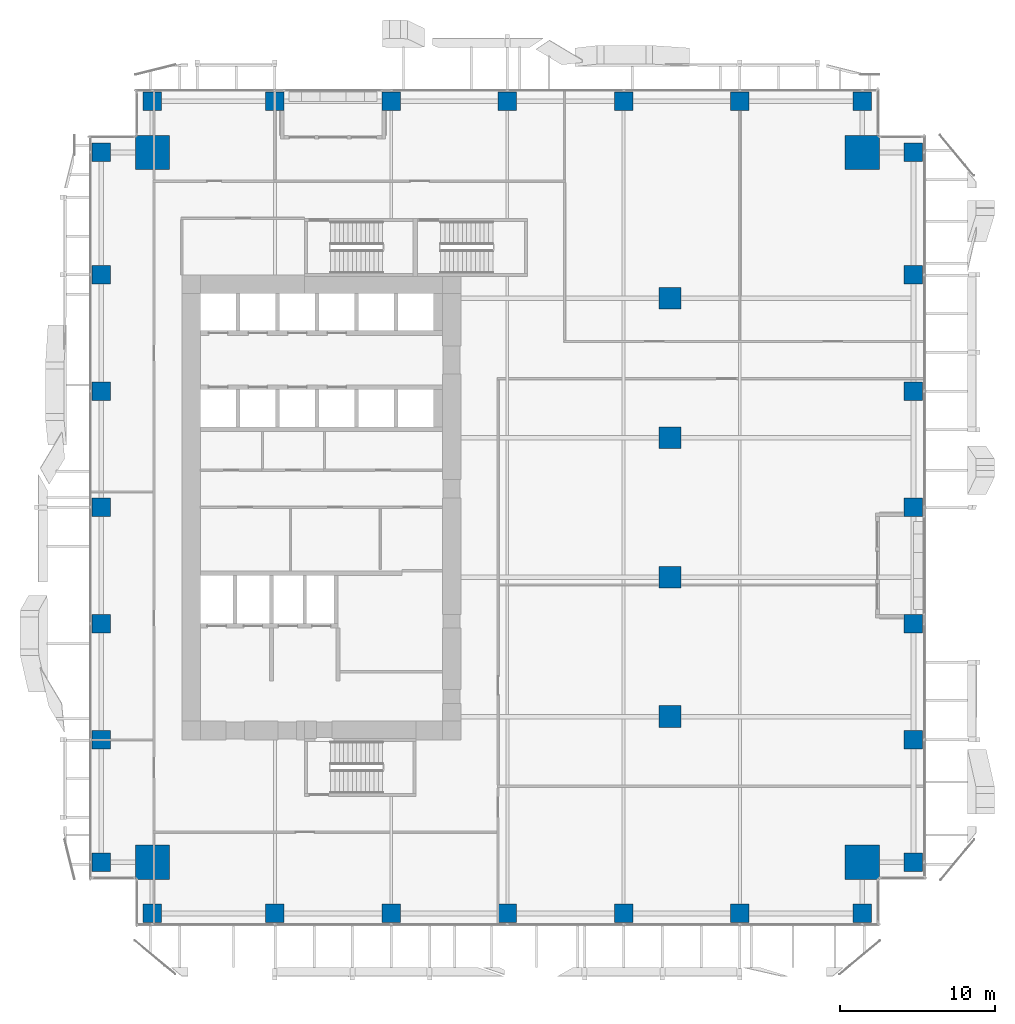
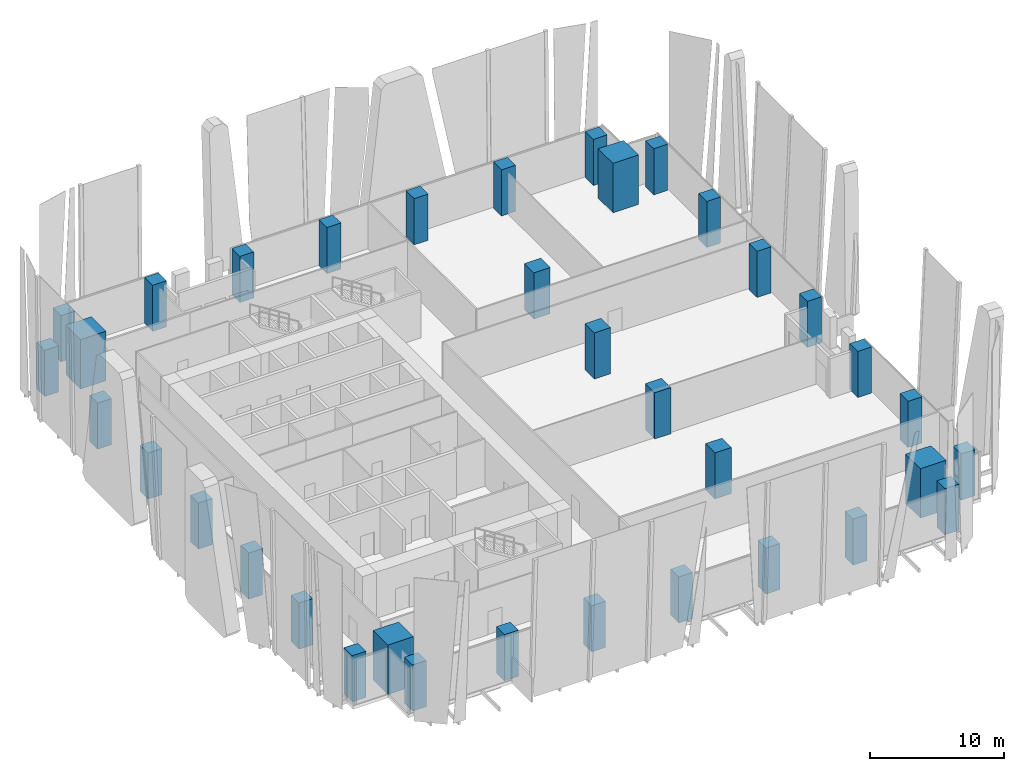
# One storey, part 1 of 34: 36 columns.
"""IFC4 building model written with IfcOpenShell, lengths in metres."""

import ifcopenshell
import ifcopenshell.guid

model = None  # the IFC model being written
_history = None  # IfcOwnerHistory: only IFC2X3 demands one
_inside = {}  # id of a spatial element -> (the spatial element, [elements in it])
_under = {}  # id of a project, library or spatial element -> (it, [spatial elements below it])
_declared = {}  # id of a project -> (the project, [libraries it declares])
_typed = {}  # id of a type object -> (the type object, [elements of that type])
_made_of = {}  # id of a material, layer set ... -> (it, [elements and type objects made of it])


def new_model(schema):
    """Start an empty IFC model of exactly this schema.

    Asked for "IFC4X3", IfcOpenShell would pick the latest addendum, in which some entities
    have other attributes; the version numbers below select the first issue.
    IFC2X3 requires an IfcOwnerHistory on every rooted entity: one is made here for all.
    """
    global model, _history
    if schema == "IFC4X3":
        model = ifcopenshell.file(schema_version=(4, 3, 0, 0))
    else:
        model = ifcopenshell.file(schema=schema)
    _inside.clear()
    _under.clear()
    _declared.clear()
    _typed.clear()
    _made_of.clear()
    _history = None
    if model.schema == "IFC2X3":
        org = make("IfcOrganization", Name="unknown")
        user = make(
            "IfcPersonAndOrganization",
            ThePerson=make("IfcPerson", FamilyName="unknown"),
            TheOrganization=org,
        )
        app = make(
            "IfcApplication",
            ApplicationDeveloper=org,
            Version="unknown",
            ApplicationFullName="unknown",
            ApplicationIdentifier="unknown",
        )
        _history = make(
            "IfcOwnerHistory",
            OwningUser=user,
            OwningApplication=app,
            ChangeAction="ADDED",
            CreationDate=0,
        )
    return model


def make(cls, **values):
    """One entity of the class cls with the attributes given. An attribute that is None is left unset."""
    return model.create_entity(
        cls, **{name: value for name, value in values.items() if value is not None}
    )


def rooted(cls, **values):
    """An entity with a GlobalId (a new one), such as an element, a storey or a relation."""
    return make(cls, GlobalId=ifcopenshell.guid.new(), OwnerHistory=_history, **values)


def si_unit(unit_type, name, prefix=None):
    """IfcSIUnit, for example si_unit("LENGTHUNIT", "METRE", prefix="MILLI")."""
    return make("IfcSIUnit", UnitType=unit_type, Prefix=prefix, Name=name)


def assignment(units):
    """IfcUnitAssignment: the units of a project."""
    return None if units is None else make("IfcUnitAssignment", Units=units)


def point(xyz):
    """IfcCartesianPoint."""
    return None if xyz is None else make("IfcCartesianPoint", Coordinates=xyz)


def direction(xyz):
    """IfcDirection."""
    return None if xyz is None else make("IfcDirection", DirectionRatios=xyz)


def frame(location, z_axis=None, x_axis=None):
    """IfcAxis2Placement3D, a coordinate frame: its origin and axes. An axis left out is left unset."""
    return make(
        "IfcAxis2Placement3D",
        Location=point(location),
        Axis=direction(z_axis),
        RefDirection=direction(x_axis),
    )


def frame_2d(location, x_axis=None):
    """IfcAxis2Placement2D, a coordinate frame in the plane: its origin and x axis."""
    return make(
        "IfcAxis2Placement2D", Location=point(location), RefDirection=direction(x_axis)
    )


def origin():
    """The frame at (0, 0, 0) with its axes left unset."""
    return frame((0.0, 0.0, 0.0))


def origin_2d():
    """The frame at (0, 0) in the plane with its x axis left unset."""
    return frame_2d((0.0, 0.0))


def place(relative_to, where):
    """IfcLocalPlacement: puts the frame where relative to a parent placement (None: the world)."""
    return make(
        "IfcLocalPlacement", PlacementRelTo=relative_to, RelativePlacement=where
    )


def context(
    kind, dimensions, precision=None, world=None, true_north=None, identifier=None
):
    """IfcGeometricRepresentationContext, for example the 3D "Model" context."""
    return make(
        "IfcGeometricRepresentationContext",
        ContextIdentifier=identifier,
        ContextType=kind,
        CoordinateSpaceDimension=dimensions,
        Precision=precision,
        WorldCoordinateSystem=world,
        TrueNorth=true_north,
    )


def subcontext(parent, identifier, kind, view, scale=None):
    """IfcGeometricRepresentationSubContext, for example "Body" below "Model"."""
    return make(
        "IfcGeometricRepresentationSubContext",
        ContextIdentifier=identifier,
        ContextType=kind,
        ParentContext=parent,
        TargetScale=scale,
        TargetView=view,
    )


def project(units=None, contexts=None):
    """IfcProject with its units and contexts."""
    return rooted(
        "IfcProject",
        Name="project",
        RepresentationContexts=contexts,
        UnitsInContext=assignment(units),
    )


def spatial(cls, under=None, at=None, **own):
    """A site, building, storey or space (cls), placed at a placement, below another one or the project."""
    s = rooted(cls, ObjectPlacement=at, **own)
    if under is not None:
        _under.setdefault(under.id(), (under, []))[1].append(s)
    return s


def profile(cls, at=None, kind="AREA", **sizes):
    """A parametric profile (cls). Its sizes go by their IFC names, for example OverallWidth=200.0."""
    return make(cls, ProfileType=kind, Position=at, **sizes)


def rectangle(**sizes):
    """IfcRectangleProfileDef."""
    return profile("IfcRectangleProfileDef", **sizes)


def extrude(swept, where, along, depth):
    """IfcExtrudedAreaSolid: the profile swept, set in the frame where, extruded along a direction by depth."""
    return make(
        "IfcExtrudedAreaSolid",
        SweptArea=swept,
        Position=where,
        ExtrudedDirection=direction(along),
        Depth=depth,
    )


def shape(context_of_items, identifier, shape_type, items):
    """IfcShapeRepresentation: the items that make up one representation, for example the "Body"."""
    return make(
        "IfcShapeRepresentation",
        ContextOfItems=context_of_items,
        RepresentationIdentifier=identifier,
        RepresentationType=shape_type,
        Items=items,
    )


def source(mapping_origin, context_of_items, identifier, shape_type, items):
    """IfcRepresentationMap: a shape defined once, which mapped items show again and again."""
    return make(
        "IfcRepresentationMap",
        MappingOrigin=mapping_origin,
        MappedRepresentation=shape(context_of_items, identifier, shape_type, items),
    )


def transform(
    local_origin,
    x_axis=None,
    y_axis=None,
    z_axis=None,
    scale=None,
    scale2=None,
    scale3=None,
    uniform=True,
):
    """IfcCartesianTransformationOperator3D, or its non-uniform kind. x_axis, y_axis, z_axis: its Axis1, 2, 3."""
    if uniform:
        return make(
            "IfcCartesianTransformationOperator3D",
            Axis1=direction(x_axis),
            Axis2=direction(y_axis),
            LocalOrigin=point(local_origin),
            Scale=scale,
            Axis3=direction(z_axis),
        )
    return make(
        "IfcCartesianTransformationOperator3DnonUniform",
        Axis1=direction(x_axis),
        Axis2=direction(y_axis),
        LocalOrigin=point(local_origin),
        Scale=scale,
        Axis3=direction(z_axis),
        Scale2=scale2,
        Scale3=scale3,
    )


def mapped(mapping_source, mapping_target):
    """IfcMappedItem: shows the shape of a source again, moved by a transform."""
    return make(
        "IfcMappedItem", MappingSource=mapping_source, MappingTarget=mapping_target
    )


def material(Name=None, Category=None):
    """IfcMaterial."""
    return make("IfcMaterial", Name=Name, Category=Category)


def material_profile(
    of_material, cross_section, Name=None, Category=None, Priority=None
):
    """IfcMaterialProfile: a cross section and its material."""
    return make(
        "IfcMaterialProfile",
        Name=Name,
        Material=of_material,
        Profile=cross_section,
        Priority=Priority,
        Category=Category,
    )


def profile_set(profiles, Name=None, composite=None):
    """IfcMaterialProfileSet."""
    return make(
        "IfcMaterialProfileSet",
        Name=Name,
        MaterialProfiles=profiles,
        CompositeProfile=composite,
    )


def made_of(thing, what):
    """Note that an element or type object is made of a material, layer set ...; save() writes the relation."""
    if what is not None:
        _made_of.setdefault(what.id(), (what, []))[1].append(thing)
    return thing


def type_object(cls, material=None, **own):
    """A type object (cls), such as IfcWallType, which elements share."""
    return made_of(rooted(cls, **own), material)


def element(
    cls,
    number,
    at=None,
    inside=None,
    cuts=None,
    type_object=None,
    material=None,
    context=None,
    identifier="Body",
    shape_type=None,
    held_by="IfcProductDefinitionShape",
    body=None,
    shapes=None,
    **own,
):
    """One element of the class cls, such as IfcWall. Its Tag is "e" and its number.

    at: its placement. inside: the storey or other place that contains it. cuts: it is an
    opening in that element (IfcRelVoidsElement). A single representation is given by context,
    identifier, shape_type and body (its items); several are given by shapes. held_by: the class
    of the entity that holds the representations. save() writes the other relations.
    """
    e = rooted(cls, Tag="e%d" % number, ObjectPlacement=at, **own)
    if body is not None:
        shapes = [shape(context, identifier, shape_type, body)]
    if shapes is not None:
        e.Representation = make(held_by, Representations=shapes)
    if inside is not None:
        _inside.setdefault(inside.id(), (inside, []))[1].append(e)
    if cuts is not None:
        rooted(
            "IfcRelVoidsElement", RelatingBuildingElement=cuts, RelatedOpeningElement=e
        )
    if type_object is not None:
        _typed.setdefault(type_object.id(), (type_object, []))[1].append(e)
    return made_of(e, material)


def aggregate(whole, parts):
    """IfcRelAggregates: a whole, such as a stair, and the parts it consists of."""
    return rooted("IfcRelAggregates", RelatingObject=whole, RelatedObjects=parts)


def save(model, path):
    """Write the relations noted so far, then the file.

    IfcRelAggregates (storeys below a building ...), IfcRelContainedInSpatialStructure (elements
    in a storey), IfcRelDefinesByType, IfcRelAssociatesMaterial and IfcRelDeclares: one each for
    every whole, place, type object, material and project.
    """
    for whole, parts in _under.values():
        aggregate(whole, parts)
    for where, things in _inside.values():
        rooted(
            "IfcRelContainedInSpatialStructure",
            RelatedElements=things,
            RelatingStructure=where,
        )
    for kind, things in _typed.values():
        rooted("IfcRelDefinesByType", RelatedObjects=things, RelatingType=kind)
    for what, things in _made_of.values():
        rooted("IfcRelAssociatesMaterial", RelatedObjects=things, RelatingMaterial=what)
    for by, libraries in _declared.values():
        rooted("IfcRelDeclares", RelatingContext=by, RelatedDefinitions=libraries)
    model.write(path)


model = new_model("IFC4")

# Units and contexts
model_context = context("Model", 3, precision=1e-05, world=origin(), true_north=direction((0.0, 1.0)))
body_context = subcontext(model_context, "Body", "Model", "MODEL_VIEW")
ifc_project = project(units=[si_unit("LENGTHUNIT", "METRE"), si_unit("AREAUNIT", "SQUARE_METRE"), si_unit("VOLUMEUNIT", "CUBIC_METRE"), si_unit("PLANEANGLEUNIT", "RADIAN"), si_unit("MASSUNIT", "GRAM", prefix="KILO")], contexts=[model_context])

# Site, building, storey
site_placement = place(None, origin())
site = spatial("IfcSite", under=ifc_project, at=site_placement, CompositionType="ELEMENT")
building_placement = place(site_placement, origin())
building = spatial("IfcBuilding", under=site, at=building_placement, Name="Khomas Fold Tower", CompositionType="ELEMENT")
storey_placement = place(building_placement, frame((0.0, 0.0, 73.5)))
storey = spatial("IfcBuildingStorey", under=building, at=storey_placement, Name="L15", CompositionType="ELEMENT", Elevation=73.5)

# Columns
ifc_material_1 = material(Name="Concrete C70/85", Category="concrete")
ifc_material_profile_1 = material_profile(ifc_material_1, rectangle(XDim=2.199951171875, YDim=2.199951171875, at=origin_2d()), Name="RC 2200x2200")
ifc_profile_set_1 = profile_set([ifc_material_profile_1], Name="Concrete C70/85")
column_type_1 = type_object("IfcColumnType", Name="RC 2200x2200 column", PredefinedType="COLUMN", material=ifc_profile_set_1)
shared_shape_1 = source(origin(), body_context, "Body", "SweptSolid", [
    extrude(rectangle(XDim=2.199951171875, YDim=2.199951171875, at=origin_2d()), origin(), (0.0, 0.0, 1.0), 4.5),
])
for number, where, z_axis, x_axis, name in (
    (1, (49.89990234375, 49.89990234375, 0.0), (0.0, 0.0, 1.0), (1.0, 0.0, 0.0), "CM-NE"),
    (2, (4.10009765625, 49.89990234375, 0.0), (0.0, 0.0, 1.0), (1.0, 0.0, 0.0), "CM-NW"),
    (3, (49.89990234375, 4.10009765625, 0.0), (0.0, 0.0, 1.0), (1.0, 0.0, 0.0), "CM-SE"),
    (4, (4.10009765625, 4.10009765625, 0.0), (0.0, 0.0, 1.0), (1.0, 0.0, 0.0), "CM-SW"),
):
    element("IfcColumn", number, at=place(storey_placement, frame(where, z_axis=z_axis, x_axis=x_axis)), inside=storey, type_object=column_type_1, Name=name, PredefinedType="COLUMN", context=body_context, shape_type="MappedRepresentation", body=[
        mapped(shared_shape_1, transform((0.0, 0.0, 0.0))),
    ])
ifc_material_2 = material(Name="Concrete C60/75", Category="concrete")
ifc_material_profile_2 = material_profile(ifc_material_2, rectangle(XDim=1.199951171875, YDim=1.199951171875, at=origin_2d()), Name="RC 1200x1200")
ifc_profile_set_2 = profile_set([ifc_material_profile_2], Name="Concrete C60/75")
column_type_2 = type_object("IfcColumnType", Name="RC 1200x1200 column", PredefinedType="COLUMN", material=ifc_profile_set_2)
shared_shape_2 = source(origin(), body_context, "Body", "SweptSolid", [
    extrude(rectangle(XDim=1.199951171875, YDim=1.199951171875, at=origin_2d()), origin(), (0.0, 0.0, 1.0), 4.199951171875),
])
for number, where, z_axis, x_axis, name in (
    (5, (4.10009765625, 0.800048828125, 0.0), (0.0, 0.0, 1.0), (1.0, 0.0, 0.0), "C-2-SF1"),
    (6, (12.0, 0.800048828125, 0.0), (0.0, 0.0, 1.0), (1.0, 0.0, 0.0), "C-6-SF1"),
    (7, (19.5, 0.800048828125, 0.0), (0.0, 0.0, 1.0), (1.0, 0.0, 0.0), "C-8-SF1"),
    (8, (27.0, 0.800048828125, 0.0), (0.0, 0.0, 1.0), (1.0, 0.0, 0.0), "C-9-SF1"),
    (9, (34.5, 0.800048828125, 0.0), (0.0, 0.0, 1.0), (1.0, 0.0, 0.0), "C-10-SF1"),
    (10, (42.0, 0.800048828125, 0.0), (0.0, 0.0, 1.0), (1.0, 0.0, 0.0), "C-13-SF1"),
    (11, (49.89990234375, 0.800048828125, 0.0), (0.0, 0.0, 1.0), (1.0, 0.0, 0.0), "C-17-SF1"),
    (12, (53.199951171875, 4.10009765625, 0.0), (0.0, 0.0, 1.0), (1.0, 0.0, 0.0), "C-E1-A"),
    (13, (53.199951171875, 12.0, 0.0), (0.0, 0.0, 1.0), (1.0, 0.0, 0.0), "C-E1-F"),
    (14, (53.199951171875, 19.5, 0.0), (0.0, 0.0, 1.0), (1.0, 0.0, 0.0), "C-E1-J"),
    (15, (53.199951171875, 27.0, 0.0), (0.0, 0.0, 1.0), (1.0, 0.0, 0.0), "C-E1-L"),
    (16, (53.199951171875, 34.5, 0.0), (0.0, 0.0, 1.0), (1.0, 0.0, 0.0), "C-E1-N"),
    (17, (53.199951171875, 42.0, 0.0), (0.0, 0.0, 1.0), (1.0, 0.0, 0.0), "C-E1-R"),
    (18, (53.199951171875, 49.89990234375, 0.0), (0.0, 0.0, 1.0), (1.0, 0.0, 0.0), "C-E1-W"),
    (19, (4.10009765625, 53.199951171875, 0.0), (0.0, 0.0, 1.0), (1.0, 0.0, 0.0), "C-2-NF1"),
    (20, (12.0, 53.199951171875, 0.0), (0.0, 0.0, 1.0), (1.0, 0.0, 0.0), "C-6-NF1"),
    (21, (19.5, 53.199951171875, 0.0), (0.0, 0.0, 1.0), (1.0, 0.0, 0.0), "C-8-NF1"),
    (22, (27.0, 53.199951171875, 0.0), (0.0, 0.0, 1.0), (1.0, 0.0, 0.0), "C-9-NF1"),
    (23, (34.5, 53.199951171875, 0.0), (0.0, 0.0, 1.0), (1.0, 0.0, 0.0), "C-10-NF1"),
    (24, (42.0, 53.199951171875, 0.0), (0.0, 0.0, 1.0), (1.0, 0.0, 0.0), "C-13-NF1"),
    (25, (49.89990234375, 53.199951171875, 0.0), (0.0, 0.0, 1.0), (1.0, 0.0, 0.0), "C-17-NF1"),
    (26, (0.800048828125, 4.10009765625, 0.0), (0.0, 0.0, 1.0), (1.0, 0.0, 0.0), "C-W1-A"),
    (27, (0.800048828125, 12.0, 0.0), (0.0, 0.0, 1.0), (1.0, 0.0, 0.0), "C-W1-F"),
    (28, (0.800048828125, 19.5, 0.0), (0.0, 0.0, 1.0), (1.0, 0.0, 0.0), "C-W1-J"),
    (29, (0.800048828125, 27.0, 0.0), (0.0, 0.0, 1.0), (1.0, 0.0, 0.0), "C-W1-L"),
    (30, (0.800048828125, 34.5, 0.0), (0.0, 0.0, 1.0), (1.0, 0.0, 0.0), "C-W1-N"),
    (31, (0.800048828125, 42.0, 0.0), (0.0, 0.0, 1.0), (1.0, 0.0, 0.0), "C-W1-R"),
    (32, (0.800048828125, 49.89990234375, 0.0), (0.0, 0.0, 1.0), (1.0, 0.0, 0.0), "C-W1-W"),
):
    element("IfcColumn", number, at=place(storey_placement, frame(where, z_axis=z_axis, x_axis=x_axis)), inside=storey, type_object=column_type_2, Name=name, PredefinedType="COLUMN", context=body_context, shape_type="MappedRepresentation", body=[
        mapped(shared_shape_2, transform((0.0, 0.0, 0.0))),
    ])
ifc_material_3 = material(Name="Concrete C60/75", Category="concrete")
ifc_material_profile_3 = material_profile(ifc_material_3, rectangle(XDim=1.39990234375, YDim=1.39990234375, at=origin_2d()), Name="RC 1400x1400")
ifc_profile_set_3 = profile_set([ifc_material_profile_3], Name="Concrete C60/75")
column_type_3 = type_object("IfcColumnType", Name="RC 1400x1400 column", PredefinedType="COLUMN", material=ifc_profile_set_3)
shared_shape_3 = source(origin(), body_context, "Body", "SweptSolid", [
    extrude(rectangle(XDim=1.39990234375, YDim=1.39990234375, at=origin_2d()), origin(), (0.0, 0.0, 1.0), 4.199951171875),
])
for number, where, z_axis, x_axis, name in (
    (33, (37.5, 13.5, 0.0), (0.0, 0.0, 1.0), (1.0, 0.0, 0.0), "C-11-H"),
    (34, (37.5, 22.5, 0.0), (0.0, 0.0, 1.0), (1.0, 0.0, 0.0), "C-11-K"),
    (35, (37.5, 31.5, 0.0), (0.0, 0.0, 1.0), (1.0, 0.0, 0.0), "C-11-M"),
    (36, (37.5, 40.5, 0.0), (0.0, 0.0, 1.0), (1.0, 0.0, 0.0), "C-11-P"),
):
    element("IfcColumn", number, at=place(storey_placement, frame(where, z_axis=z_axis, x_axis=x_axis)), inside=storey, type_object=column_type_3, Name=name, PredefinedType="COLUMN", context=body_context, shape_type="MappedRepresentation", body=[
        mapped(shared_shape_3, transform((0.0, 0.0, 0.0))),
    ])

save(model, "model.ifc")
